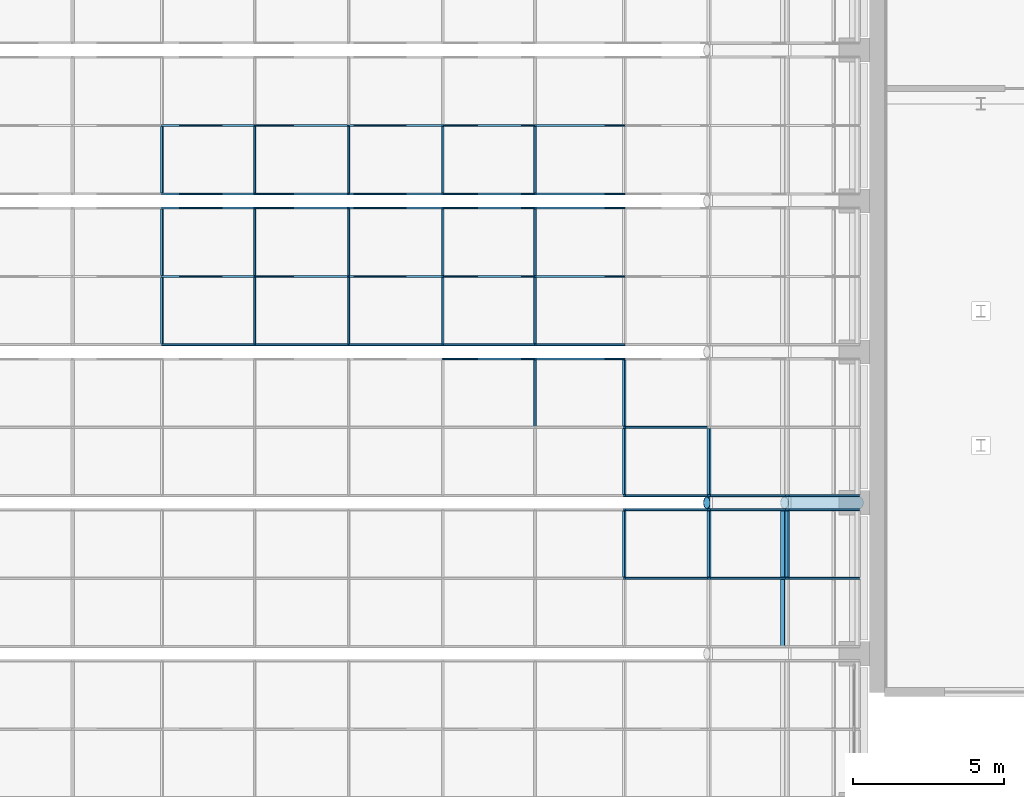
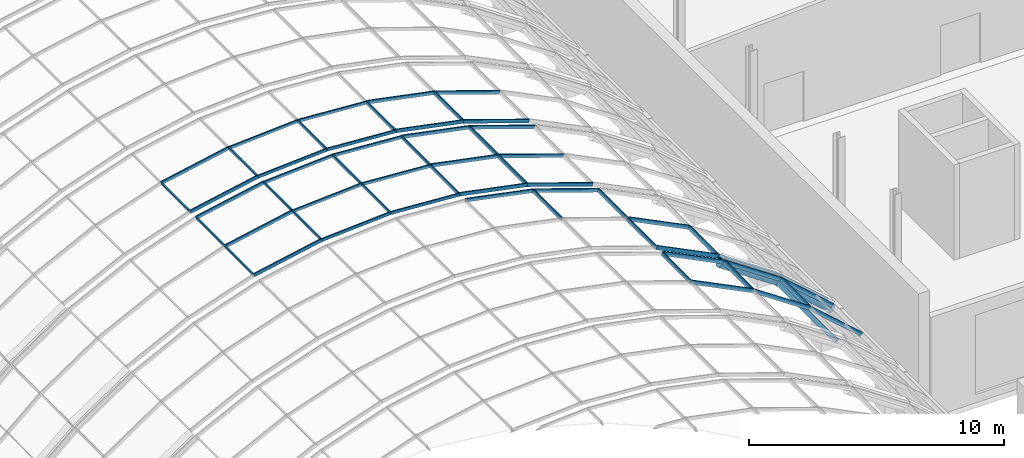
# One storey, part 74 of 182: 62 members, 4 elements without a shape of their own.
"""IFC4 building model written with IfcOpenShell, lengths in metres."""

from ifc_helpers import new_model, si_unit, direction, frame, origin, origin_2d, place, context, subcontext, project, spatial, rectangle, hollow_rectangle, hollow_circle, extrude, material, material_profile, profile_set, type_object, element, aggregate, save


model = new_model("IFC4")

# Units and contexts
model_context = context("Model", 3, precision=1e-05, world=origin(), true_north=direction((0.0, 1.0)))
body_context = subcontext(model_context, "Body", "Model", "MODEL_VIEW")
ifc_project = project(units=[si_unit("LENGTHUNIT", "METRE"), si_unit("AREAUNIT", "SQUARE_METRE"), si_unit("VOLUMEUNIT", "CUBIC_METRE"), si_unit("PLANEANGLEUNIT", "RADIAN"), si_unit("MASSUNIT", "GRAM", prefix="KILO")], contexts=[model_context])

# Site, building, storey
site_placement = place(None, origin())
site = spatial("IfcSite", under=ifc_project, at=site_placement, CompositionType="ELEMENT")
building_placement = place(site_placement, origin())
building = spatial("IfcBuilding", under=site, at=building_placement, Name="Okhra Congress Centre", CompositionType="ELEMENT")
storey_placement = place(building_placement, frame((0.0, 0.0, 7.199951171875)))
storey = spatial("IfcBuildingStorey", under=building, at=storey_placement, Name="L01", CompositionType="ELEMENT", Elevation=7.199951171875)

# Curtain wall, members
ifc_material_1 = material(Name="Aluminium frame with triple glazing", Category="aluminium")
curtain_wall_type = type_object("IfcCurtainWallType", Name="Glazed vault bay curtain wall", PredefinedType="NOTDEFINED", material=ifc_material_1)
curtain_wall_1_placement = place(storey_placement, origin())
curtain_wall_1 = element("IfcCurtainWall", 1, at=curtain_wall_1_placement, inside=storey, type_object=curtain_wall_type, Name="Vault glazing bay 18", PredefinedType="NOTDEFINED")
ifc_material_2 = material(Name="Aluminium alloy 6063", Category="aluminium")
ifc_material_profile_1 = material_profile(ifc_material_2, rectangle(XDim=0.06005859375, YDim=0.139892578125, at=origin_2d()), Name="AL 60x140")
ifc_profile_set_1 = profile_set([ifc_material_profile_1], Name="Aluminium alloy 6063")
member_type_1 = type_object("IfcMemberType", Name="Aluminium mullion 60x140", PredefinedType="MULLION", material=ifc_profile_set_1)
member_1_placement = place(storey_placement, frame((169.1337890625, 161.233154296875, 8.7392578125), z_axis=(0.997826129775, 0.0, 0.065901553385), x_axis=(0.0, 1.0, 0.0)))
member_1 = element("IfcMember", 2, at=member_1_placement, type_object=member_type_1, Name="Vault mullion 18.1.6", PredefinedType="MULLION", context=body_context, shape_type="SweptSolid", body=[
    extrude(rectangle(XDim=0.06005859375, YDim=0.139892578125, at=origin_2d()), origin(), (0.0, 0.0, 1.0), 3.123046875),
])
member_2_placement = place(storey_placement, frame((172.25, 161.233154296875, 8.945068359375), z_axis=(0.997826129775, 0.0, -0.065901553385), x_axis=(0.0, 1.0, 0.0)))
member_2 = element("IfcMember", 3, at=member_2_placement, type_object=member_type_1, Name="Vault mullion 18.1.7", PredefinedType="MULLION", context=body_context, shape_type="SweptSolid", body=[
    extrude(rectangle(XDim=0.06005859375, YDim=0.139892578125, at=origin_2d()), origin(), (0.0, 0.0, 1.0), 3.123046875),
])
member_3_placement = place(storey_placement, frame((169.1337890625, 163.5, 8.7392578125), z_axis=(0.997826129775, 0.0, 0.065901553385), x_axis=(0.0, 1.0, 0.0)))
member_3 = element("IfcMember", 4, at=member_3_placement, type_object=member_type_1, Name="Vault mullion 18.2.6", PredefinedType="MULLION", context=body_context, shape_type="SweptSolid", body=[
    extrude(rectangle(XDim=0.06005859375, YDim=0.139892578125, at=origin_2d()), origin(), (0.0, 0.0, 1.0), 3.123046875),
])
member_4_placement = place(storey_placement, frame((172.25, 163.5, 8.945068359375), z_axis=(0.997826129775, 0.0, -0.065901553385), x_axis=(0.0, 1.0, 0.0)))
member_4 = element("IfcMember", 5, at=member_4_placement, type_object=member_type_1, Name="Vault mullion 18.2.7", PredefinedType="MULLION", context=body_context, shape_type="SweptSolid", body=[
    extrude(rectangle(XDim=0.06005859375, YDim=0.139892578125, at=origin_2d()), origin(), (0.0, 0.0, 1.0), 3.123046875),
])
member_5_placement = place(storey_placement, frame((169.1337890625, 165.766845703125, 8.7392578125), z_axis=(0.997826129775, 0.0, 0.065901553385), x_axis=(0.0, 1.0, 0.0)))
member_5 = element("IfcMember", 6, at=member_5_placement, type_object=member_type_1, Name="Vault mullion 18.3.6", PredefinedType="MULLION", context=body_context, shape_type="SweptSolid", body=[
    extrude(rectangle(XDim=0.06005859375, YDim=0.139892578125, at=origin_2d()), origin(), (0.0, 0.0, 1.0), 3.123046875),
])
member_6_placement = place(storey_placement, frame((172.25, 165.766845703125, 8.945068359375), z_axis=(0.997826129775, 0.0, -0.065901553385), x_axis=(0.0, 1.0, 0.0)))
member_6 = element("IfcMember", 7, at=member_6_placement, type_object=member_type_1, Name="Vault mullion 18.3.7", PredefinedType="MULLION", context=body_context, shape_type="SweptSolid", body=[
    extrude(rectangle(XDim=0.06005859375, YDim=0.139892578125, at=origin_2d()), origin(), (0.0, 0.0, 1.0), 3.123046875),
])

curtain_wall_2_placement = place(storey_placement, origin())
curtain_wall_2 = element("IfcCurtainWall", 8, at=curtain_wall_2_placement, inside=storey, type_object=curtain_wall_type, Name="Vault glazing bay 19", PredefinedType="NOTDEFINED")
member_7_placement = place(storey_placement, frame((169.1337890625, 166.233154296875, 8.7392578125), z_axis=(0.997826129775, 0.0, 0.065901553385), x_axis=(0.0, 1.0, 0.0)))
member_7 = element("IfcMember", 9, at=member_7_placement, type_object=member_type_1, Name="Vault mullion 19.1.6", PredefinedType="MULLION", context=body_context, shape_type="SweptSolid", body=[
    extrude(rectangle(XDim=0.06005859375, YDim=0.139892578125, at=origin_2d()), origin(), (0.0, 0.0, 1.0), 3.123046875),
])
member_8_placement = place(storey_placement, frame((172.25, 166.233154296875, 8.945068359375), z_axis=(0.997826129775, 0.0, -0.065901553385), x_axis=(0.0, 1.0, 0.0)))
member_8 = element("IfcMember", 10, at=member_8_placement, type_object=member_type_1, Name="Vault mullion 19.1.7", PredefinedType="MULLION", context=body_context, shape_type="SweptSolid", body=[
    extrude(rectangle(XDim=0.06005859375, YDim=0.139892578125, at=origin_2d()), origin(), (0.0, 0.0, 1.0), 3.123046875),
])
member_9_placement = place(storey_placement, frame((169.1337890625, 168.5, 8.7392578125), z_axis=(0.997826129775, 0.0, 0.065901553385), x_axis=(0.0, 1.0, 0.0)))
member_9 = element("IfcMember", 11, at=member_9_placement, type_object=member_type_1, Name="Vault mullion 19.2.6", PredefinedType="MULLION", context=body_context, shape_type="SweptSolid", body=[
    extrude(rectangle(XDim=0.06005859375, YDim=0.139892578125, at=origin_2d()), origin(), (0.0, 0.0, 1.0), 3.123046875),
])
member_10_placement = place(storey_placement, frame((172.25, 168.5, 8.945068359375), z_axis=(0.997826129775, 0.0, -0.065901553385), x_axis=(0.0, 1.0, 0.0)))
member_10 = element("IfcMember", 12, at=member_10_placement, type_object=member_type_1, Name="Vault mullion 19.2.7", PredefinedType="MULLION", context=body_context, shape_type="SweptSolid", body=[
    extrude(rectangle(XDim=0.06005859375, YDim=0.139892578125, at=origin_2d()), origin(), (0.0, 0.0, 1.0), 3.123046875),
])

curtain_wall_3_placement = place(storey_placement, origin())
curtain_wall_3 = element("IfcCurtainWall", 13, at=curtain_wall_3_placement, inside=storey, type_object=curtain_wall_type, Name="Vault glazing bay 17", PredefinedType="NOTDEFINED")
ifc_material_profile_2 = material_profile(ifc_material_2, rectangle(XDim=0.06005859375, YDim=0.159912109375, at=origin_2d()), Name="AL 60x160")
ifc_profile_set_2 = profile_set([ifc_material_profile_2], Name="Aluminium alloy 6063")
member_type_2 = type_object("IfcMemberType", Name="Aluminium mullion 60x160", PredefinedType="MULLION", material=ifc_profile_set_2)
member_11_placement = place(storey_placement, frame((175.367431640625, 160.766845703125, 8.7490234375), z_axis=(0.980484387086, 0.0, -0.196596965087), x_axis=(0.0, 1.0, 0.0)))
member_11 = element("IfcMember", 14, at=member_11_placement, type_object=member_type_2, Name="Vault mullion 17.3.8", PredefinedType="MULLION", context=body_context, shape_type="SweptSolid", body=[
    extrude(rectangle(XDim=0.06005859375, YDim=0.159912109375, at=origin_2d()), origin(), (0.0, 0.0, 1.0), 3.12451171875),
])
member_12_placement = place(storey_placement, frame((178.430908203125, 160.766845703125, 8.134765625), z_axis=(0.946065064306, 0.0, -0.323976687587), x_axis=(0.0, 1.0, 0.0)))
member_12 = element("IfcMember", 15, at=member_12_placement, type_object=member_type_2, Name="Vault mullion 17.3.9", PredefinedType="MULLION", context=body_context, shape_type="SweptSolid", body=[
    extrude(rectangle(XDim=0.06005859375, YDim=0.159912109375, at=origin_2d()), origin(), (0.0, 0.0, 1.0), 3.124267578125),
])

# Member
member_13_placement = place(storey_placement, frame((166.069091796875, 161.233154296875, 8.134765625), z_axis=(0.980484387086, 0.0, 0.196596965087), x_axis=(0.0, 1.0, 0.0)))
member_13 = element("IfcMember", 16, at=member_13_placement, type_object=member_type_2, Name="Vault mullion 18.1.5", PredefinedType="MULLION", context=body_context, shape_type="SweptSolid", body=[
    extrude(rectangle(XDim=0.06005859375, YDim=0.159912109375, at=origin_2d()), origin(), (0.0, 0.0, 1.0), 3.12451171875),
])

member_14_placement = place(storey_placement, frame((175.367431640625, 161.233154296875, 8.7490234375), z_axis=(0.980484387086, 0.0, -0.196596965087), x_axis=(0.0, 1.0, 0.0)))
member_14 = element("IfcMember", 17, at=member_14_placement, type_object=member_type_2, Name="Vault mullion 18.1.8", PredefinedType="MULLION", context=body_context, shape_type="SweptSolid", body=[
    extrude(rectangle(XDim=0.06005859375, YDim=0.159912109375, at=origin_2d()), origin(), (0.0, 0.0, 1.0), 3.12451171875),
])

member_15_placement = place(storey_placement, frame((178.430908203125, 161.233154296875, 8.134765625), z_axis=(0.946065064306, 0.0, -0.323976687587), x_axis=(0.0, 1.0, 0.0)))
member_15 = element("IfcMember", 18, at=member_15_placement, type_object=member_type_2, Name="Vault mullion 18.1.9", PredefinedType="MULLION", context=body_context, shape_type="SweptSolid", body=[
    extrude(rectangle(XDim=0.06005859375, YDim=0.159912109375, at=origin_2d()), origin(), (0.0, 0.0, 1.0), 3.124267578125),
])

member_16_placement = place(storey_placement, frame((166.069091796875, 163.5, 8.134765625), z_axis=(0.980484387086, 0.0, 0.196596965087), x_axis=(0.0, 1.0, 0.0)))
member_16 = element("IfcMember", 19, at=member_16_placement, type_object=member_type_2, Name="Vault mullion 18.2.5", PredefinedType="MULLION", context=body_context, shape_type="SweptSolid", body=[
    extrude(rectangle(XDim=0.06005859375, YDim=0.159912109375, at=origin_2d()), origin(), (0.0, 0.0, 1.0), 3.12451171875),
])

member_17_placement = place(storey_placement, frame((175.367431640625, 163.5, 8.7490234375), z_axis=(0.980484387086, 0.0, -0.196596965087), x_axis=(0.0, 1.0, 0.0)))
member_17 = element("IfcMember", 20, at=member_17_placement, type_object=member_type_2, Name="Vault mullion 18.2.8", PredefinedType="MULLION", context=body_context, shape_type="SweptSolid", body=[
    extrude(rectangle(XDim=0.06005859375, YDim=0.159912109375, at=origin_2d()), origin(), (0.0, 0.0, 1.0), 3.12451171875),
])

member_18_placement = place(storey_placement, frame((178.430908203125, 163.5, 8.134765625), z_axis=(0.946065064306, 0.0, -0.323976687587), x_axis=(0.0, 1.0, 0.0)))
member_18 = element("IfcMember", 21, at=member_18_placement, type_object=member_type_2, Name="Vault mullion 18.2.9", PredefinedType="MULLION", context=body_context, shape_type="SweptSolid", body=[
    extrude(rectangle(XDim=0.06005859375, YDim=0.159912109375, at=origin_2d()), origin(), (0.0, 0.0, 1.0), 3.124267578125),
])

member_19_placement = place(storey_placement, frame((166.069091796875, 165.766845703125, 8.134765625), z_axis=(0.980484387086, 0.0, 0.196596965087), x_axis=(0.0, 1.0, 0.0)))
member_19 = element("IfcMember", 22, at=member_19_placement, type_object=member_type_2, Name="Vault mullion 18.3.5", PredefinedType="MULLION", context=body_context, shape_type="SweptSolid", body=[
    extrude(rectangle(XDim=0.06005859375, YDim=0.159912109375, at=origin_2d()), origin(), (0.0, 0.0, 1.0), 3.12451171875),
])

member_20_placement = place(storey_placement, frame((175.367431640625, 165.766845703125, 8.7490234375), z_axis=(0.980484387086, 0.0, -0.196596965087), x_axis=(0.0, 1.0, 0.0)))
member_20 = element("IfcMember", 23, at=member_20_placement, type_object=member_type_2, Name="Vault mullion 18.3.8", PredefinedType="MULLION", context=body_context, shape_type="SweptSolid", body=[
    extrude(rectangle(XDim=0.06005859375, YDim=0.159912109375, at=origin_2d()), origin(), (0.0, 0.0, 1.0), 3.12451171875),
])

member_21_placement = place(storey_placement, frame((178.430908203125, 165.766845703125, 8.134765625), z_axis=(0.946065064306, 0.0, -0.323976687587), x_axis=(0.0, 1.0, 0.0)))
member_21 = element("IfcMember", 24, at=member_21_placement, type_object=member_type_2, Name="Vault mullion 18.3.9", PredefinedType="MULLION", context=body_context, shape_type="SweptSolid", body=[
    extrude(rectangle(XDim=0.06005859375, YDim=0.159912109375, at=origin_2d()), origin(), (0.0, 0.0, 1.0), 3.124267578125),
])

member_22_placement = place(storey_placement, frame((166.069091796875, 166.233154296875, 8.134765625), z_axis=(0.980484387086, 0.0, 0.196596965087), x_axis=(0.0, 1.0, 0.0)))
member_22 = element("IfcMember", 25, at=member_22_placement, type_object=member_type_2, Name="Vault mullion 19.1.5", PredefinedType="MULLION", context=body_context, shape_type="SweptSolid", body=[
    extrude(rectangle(XDim=0.06005859375, YDim=0.159912109375, at=origin_2d()), origin(), (0.0, 0.0, 1.0), 3.12451171875),
])

member_23_placement = place(storey_placement, frame((175.367431640625, 166.233154296875, 8.7490234375), z_axis=(0.980484387086, 0.0, -0.196596965087), x_axis=(0.0, 1.0, 0.0)))
member_23 = element("IfcMember", 26, at=member_23_placement, type_object=member_type_2, Name="Vault mullion 19.1.8", PredefinedType="MULLION", context=body_context, shape_type="SweptSolid", body=[
    extrude(rectangle(XDim=0.06005859375, YDim=0.159912109375, at=origin_2d()), origin(), (0.0, 0.0, 1.0), 3.12451171875),
])

member_24_placement = place(storey_placement, frame((178.430908203125, 166.233154296875, 8.134765625), z_axis=(0.946065064306, 0.0, -0.323976687587), x_axis=(0.0, 1.0, 0.0)))
member_24 = element("IfcMember", 27, at=member_24_placement, type_object=member_type_2, Name="Vault mullion 19.1.9", PredefinedType="MULLION", context=body_context, shape_type="SweptSolid", body=[
    extrude(rectangle(XDim=0.06005859375, YDim=0.159912109375, at=origin_2d()), origin(), (0.0, 0.0, 1.0), 3.124267578125),
])

member_25_placement = place(storey_placement, frame((166.069091796875, 168.5, 8.134765625), z_axis=(0.980484387086, 0.0, 0.196596965087), x_axis=(0.0, 1.0, 0.0)))
member_25 = element("IfcMember", 28, at=member_25_placement, type_object=member_type_2, Name="Vault mullion 19.2.5", PredefinedType="MULLION", context=body_context, shape_type="SweptSolid", body=[
    extrude(rectangle(XDim=0.06005859375, YDim=0.159912109375, at=origin_2d()), origin(), (0.0, 0.0, 1.0), 3.12451171875),
])

member_26_placement = place(storey_placement, frame((175.367431640625, 168.5, 8.7490234375), z_axis=(0.980484387086, 0.0, -0.196596965087), x_axis=(0.0, 1.0, 0.0)))
member_26 = element("IfcMember", 29, at=member_26_placement, type_object=member_type_2, Name="Vault mullion 19.2.8", PredefinedType="MULLION", context=body_context, shape_type="SweptSolid", body=[
    extrude(rectangle(XDim=0.06005859375, YDim=0.159912109375, at=origin_2d()), origin(), (0.0, 0.0, 1.0), 3.12451171875),
])

member_27_placement = place(storey_placement, frame((178.430908203125, 168.5, 8.134765625), z_axis=(0.946065064306, 0.0, -0.323976687587), x_axis=(0.0, 1.0, 0.0)))
member_27 = element("IfcMember", 30, at=member_27_placement, type_object=member_type_2, Name="Vault mullion 19.2.9", PredefinedType="MULLION", context=body_context, shape_type="SweptSolid", body=[
    extrude(rectangle(XDim=0.06005859375, YDim=0.159912109375, at=origin_2d()), origin(), (0.0, 0.0, 1.0), 3.124267578125),
])

# Curtain wall, members
curtain_wall_4_placement = place(storey_placement, origin())
curtain_wall_4 = element("IfcCurtainWall", 31, at=curtain_wall_4_placement, inside=storey, type_object=curtain_wall_type, Name="Vault glazing bay 16", PredefinedType="NOTDEFINED")
ifc_material_profile_3 = material_profile(ifc_material_2, rectangle(XDim=0.06005859375, YDim=0.179931640625, at=origin_2d()), Name="AL 60x180")
ifc_profile_set_3 = profile_set([ifc_material_profile_3], Name="Aluminium alloy 6063")
member_type_3 = type_object("IfcMemberType", Name="Aluminium mullion 60x180", PredefinedType="MULLION", material=ifc_profile_set_3)
member_28_placement = place(storey_placement, frame((181.390625, 153.5, 7.1318359375), z_axis=(0.895253656313, 0.0, -0.445556832354), x_axis=(0.0, 1.0, 0.0)))
member_28 = element("IfcMember", 32, at=member_28_placement, type_object=member_type_3, Name="Vault mullion 16.2.10", PredefinedType="MULLION", context=body_context, shape_type="SweptSolid", body=[
    extrude(rectangle(XDim=0.06005859375, YDim=0.179931640625, at=origin_2d()), origin(), (0.0, 0.0, 1.0), 3.12548828125),
])
member_29_placement = place(storey_placement, frame((184.188720703125, 153.5, 5.7392578125), z_axis=(0.828827846338, 0.0, -0.559503709671), x_axis=(0.0, 1.0, 0.0)))
member_29 = element("IfcMember", 33, at=member_29_placement, type_object=member_type_3, Name="Vault mullion 16.2.11", PredefinedType="MULLION", context=body_context, shape_type="SweptSolid", body=[
    extrude(rectangle(XDim=0.06005859375, YDim=0.179931640625, at=origin_2d()), origin(), (0.0, 0.0, 1.0), 3.12548828125),
])
member_30_placement = place(storey_placement, frame((186.779296875, 153.5, 3.990478515625), z_axis=(0.748025229923, 0.0, -0.663670291183), x_axis=(0.0, 1.0, 0.0)))
member_30 = element("IfcMember", 34, at=member_30_placement, type_object=member_type_3, Name="Vault mullion 16.2.12", PredefinedType="MULLION", context=body_context, shape_type="SweptSolid", body=[
    extrude(rectangle(XDim=0.06005859375, YDim=0.179931640625, at=origin_2d()), origin(), (0.0, 0.0, 1.0), 3.125732421875),
])
member_31_placement = place(storey_placement, frame((181.390625, 155.766845703125, 7.1318359375), z_axis=(0.895253656313, 0.0, -0.445556832354), x_axis=(0.0, 1.0, 0.0)))
member_31 = element("IfcMember", 35, at=member_31_placement, type_object=member_type_3, Name="Vault mullion 16.3.10", PredefinedType="MULLION", context=body_context, shape_type="SweptSolid", body=[
    extrude(rectangle(XDim=0.06005859375, YDim=0.179931640625, at=origin_2d()), origin(), (0.0, 0.0, 1.0), 3.12548828125),
])
member_32_placement = place(storey_placement, frame((184.188720703125, 155.766845703125, 5.7392578125), z_axis=(0.828827846338, 0.0, -0.559503709671), x_axis=(0.0, 1.0, 0.0)))
member_32 = element("IfcMember", 36, at=member_32_placement, type_object=member_type_3, Name="Vault mullion 16.3.11", PredefinedType="MULLION", context=body_context, shape_type="SweptSolid", body=[
    extrude(rectangle(XDim=0.06005859375, YDim=0.179931640625, at=origin_2d()), origin(), (0.0, 0.0, 1.0), 3.12548828125),
])
member_33_placement = place(storey_placement, frame((186.779296875, 155.766845703125, 3.990478515625), z_axis=(0.748025229923, 0.0, -0.663670291183), x_axis=(0.0, 1.0, 0.0)))
member_33 = element("IfcMember", 37, at=member_33_placement, type_object=member_type_3, Name="Vault mullion 16.3.12", PredefinedType="MULLION", context=body_context, shape_type="SweptSolid", body=[
    extrude(rectangle(XDim=0.06005859375, YDim=0.179931640625, at=origin_2d()), origin(), (0.0, 0.0, 1.0), 3.125732421875),
])

# Member
member_34_placement = place(storey_placement, frame((181.390625, 156.233154296875, 7.1318359375), z_axis=(0.895253656313, 0.0, -0.445556832354), x_axis=(0.0, 1.0, 0.0)))
member_34 = element("IfcMember", 38, at=member_34_placement, type_object=member_type_3, Name="Vault mullion 17.1.10", PredefinedType="MULLION", context=body_context, shape_type="SweptSolid", body=[
    extrude(rectangle(XDim=0.06005859375, YDim=0.179931640625, at=origin_2d()), origin(), (0.0, 0.0, 1.0), 3.12548828125),
])

member_35_placement = place(storey_placement, frame((184.188720703125, 156.233154296875, 5.7392578125), z_axis=(0.828827846338, 0.0, -0.559503709671), x_axis=(0.0, 1.0, 0.0)))
member_35 = element("IfcMember", 39, at=member_35_placement, type_object=member_type_3, Name="Vault mullion 17.1.11", PredefinedType="MULLION", context=body_context, shape_type="SweptSolid", body=[
    extrude(rectangle(XDim=0.06005859375, YDim=0.179931640625, at=origin_2d()), origin(), (0.0, 0.0, 1.0), 3.12548828125),
])

member_36_placement = place(storey_placement, frame((186.779296875, 156.233154296875, 3.990478515625), z_axis=(0.748025229923, 0.0, -0.663670291183), x_axis=(0.0, 1.0, 0.0)))
member_36 = element("IfcMember", 40, at=member_36_placement, type_object=member_type_3, Name="Vault mullion 17.1.12", PredefinedType="MULLION", context=body_context, shape_type="SweptSolid", body=[
    extrude(rectangle(XDim=0.06005859375, YDim=0.179931640625, at=origin_2d()), origin(), (0.0, 0.0, 1.0), 3.125732421875),
])

member_37_placement = place(storey_placement, frame((181.390625, 158.5, 7.1318359375), z_axis=(0.895253656313, 0.0, -0.445556832354), x_axis=(0.0, 1.0, 0.0)))
member_37 = element("IfcMember", 41, at=member_37_placement, type_object=member_type_3, Name="Vault mullion 17.2.10", PredefinedType="MULLION", context=body_context, shape_type="SweptSolid", body=[
    extrude(rectangle(XDim=0.06005859375, YDim=0.179931640625, at=origin_2d()), origin(), (0.0, 0.0, 1.0), 3.12548828125),
])

ifc_material_profile_4 = material_profile(ifc_material_2, rectangle(XDim=0.06005859375, YDim=0.139892578125, at=origin_2d()), Name="AL 60x140 transom")
ifc_profile_set_4 = profile_set([ifc_material_profile_4], Name="Aluminium alloy 6063")
member_type_4 = type_object("IfcMemberType", Name="Aluminium transom 60x140", PredefinedType="USERDEFINED", material=ifc_profile_set_4)
member_38_placement = place(storey_placement, frame((169.1337890625, 161.26318359375, 8.7392578125), z_axis=(0.0, 1.0, 0.0), x_axis=(-0.991307202734, 0.0, -0.131567586459)))
member_38 = element("IfcMember", 42, at=member_38_placement, type_object=member_type_4, Name="Vault transom 18.1.6", ObjectType="TRANSOM", PredefinedType="USERDEFINED", context=body_context, shape_type="SweptSolid", body=[
    extrude(rectangle(XDim=0.06005859375, YDim=0.139892578125, at=origin_2d()), origin(), (0.0, 0.0, 1.0), 2.206787109375),
])

member_39_placement = place(storey_placement, frame((172.25, 161.26318359375, 8.945068359375), z_axis=(0.0, 1.0, 0.0), x_axis=(-1.0, 0.0, 0.0)))
member_39 = element("IfcMember", 43, at=member_39_placement, type_object=member_type_4, Name="Vault transom 18.1.7", ObjectType="TRANSOM", PredefinedType="USERDEFINED", context=body_context, shape_type="SweptSolid", body=[
    extrude(rectangle(XDim=0.06005859375, YDim=0.139892578125, at=origin_2d()), origin(), (0.0, 0.0, 1.0), 2.206787109375),
])

member_40_placement = place(storey_placement, frame((175.3662109375, 161.26318359375, 8.7392578125), z_axis=(0.0, 1.0, 0.0), x_axis=(-0.991307202734, 0.0, 0.131567586459)))
member_40 = element("IfcMember", 44, at=member_40_placement, type_object=member_type_4, Name="Vault transom 18.1.8", ObjectType="TRANSOM", PredefinedType="USERDEFINED", context=body_context, shape_type="SweptSolid", body=[
    extrude(rectangle(XDim=0.06005859375, YDim=0.139892578125, at=origin_2d()), origin(), (0.0, 0.0, 1.0), 2.206787109375),
])

member_41_placement = place(storey_placement, frame((169.1337890625, 163.530029296875, 8.7392578125), z_axis=(0.0, 1.0, 0.0), x_axis=(-0.991307202734, 0.0, -0.131567586459)))
member_41 = element("IfcMember", 45, at=member_41_placement, type_object=member_type_4, Name="Vault transom 18.2.6", ObjectType="TRANSOM", PredefinedType="USERDEFINED", context=body_context, shape_type="SweptSolid", body=[
    extrude(rectangle(XDim=0.06005859375, YDim=0.139892578125, at=origin_2d()), origin(), (0.0, 0.0, 1.0), 2.206787109375),
])

member_42_placement = place(storey_placement, frame((172.25, 163.530029296875, 8.945068359375), z_axis=(0.0, 1.0, 0.0), x_axis=(-1.0, 0.0, 0.0)))
member_42 = element("IfcMember", 46, at=member_42_placement, type_object=member_type_4, Name="Vault transom 18.2.7", ObjectType="TRANSOM", PredefinedType="USERDEFINED", context=body_context, shape_type="SweptSolid", body=[
    extrude(rectangle(XDim=0.06005859375, YDim=0.139892578125, at=origin_2d()), origin(), (0.0, 0.0, 1.0), 2.206787109375),
])

member_43_placement = place(storey_placement, frame((175.3662109375, 163.530029296875, 8.7392578125), z_axis=(0.0, 1.0, 0.0), x_axis=(-0.991307202734, 0.0, 0.131567586459)))
member_43 = element("IfcMember", 47, at=member_43_placement, type_object=member_type_4, Name="Vault transom 18.2.8", ObjectType="TRANSOM", PredefinedType="USERDEFINED", context=body_context, shape_type="SweptSolid", body=[
    extrude(rectangle(XDim=0.06005859375, YDim=0.139892578125, at=origin_2d()), origin(), (0.0, 0.0, 1.0), 2.206787109375),
])

member_44_placement = place(storey_placement, frame((169.1337890625, 166.26318359375, 8.7392578125), z_axis=(0.0, 1.0, 0.0), x_axis=(-0.991307202734, 0.0, -0.131567586459)))
member_44 = element("IfcMember", 48, at=member_44_placement, type_object=member_type_4, Name="Vault transom 19.1.6", ObjectType="TRANSOM", PredefinedType="USERDEFINED", context=body_context, shape_type="SweptSolid", body=[
    extrude(rectangle(XDim=0.06005859375, YDim=0.139892578125, at=origin_2d()), origin(), (0.0, 0.0, 1.0), 2.206787109375),
])

member_45_placement = place(storey_placement, frame((172.25, 166.26318359375, 8.945068359375), z_axis=(0.0, 1.0, 0.0), x_axis=(-1.0, 0.0, 0.0)))
member_45 = element("IfcMember", 49, at=member_45_placement, type_object=member_type_4, Name="Vault transom 19.1.7", ObjectType="TRANSOM", PredefinedType="USERDEFINED", context=body_context, shape_type="SweptSolid", body=[
    extrude(rectangle(XDim=0.06005859375, YDim=0.139892578125, at=origin_2d()), origin(), (0.0, 0.0, 1.0), 2.206787109375),
])

member_46_placement = place(storey_placement, frame((175.3662109375, 166.26318359375, 8.7392578125), z_axis=(0.0, 1.0, 0.0), x_axis=(-0.991307202734, 0.0, 0.131567586459)))
member_46 = element("IfcMember", 50, at=member_46_placement, type_object=member_type_4, Name="Vault transom 19.1.8", ObjectType="TRANSOM", PredefinedType="USERDEFINED", context=body_context, shape_type="SweptSolid", body=[
    extrude(rectangle(XDim=0.06005859375, YDim=0.139892578125, at=origin_2d()), origin(), (0.0, 0.0, 1.0), 2.206787109375),
])

ifc_material_profile_5 = material_profile(ifc_material_2, rectangle(XDim=0.06005859375, YDim=0.159912109375, at=origin_2d()), Name="AL 60x160 transom")
ifc_profile_set_5 = profile_set([ifc_material_profile_5], Name="Aluminium alloy 6063")
member_type_5 = type_object("IfcMemberType", Name="Aluminium transom 60x160", PredefinedType="USERDEFINED", material=ifc_profile_set_5)
member_47_placement = place(storey_placement, frame((181.38671875, 153.530029296875, 7.12255859375), z_axis=(0.0, 1.0, 0.0), x_axis=(-0.922668973833, 0.0, 0.38559300399)))
member_47 = element("IfcMember", 51, at=member_47_placement, type_object=member_type_5, Name="Vault transom 16.2.10", ObjectType="TRANSOM", PredefinedType="USERDEFINED", context=body_context, shape_type="SweptSolid", body=[
    extrude(rectangle(XDim=0.06005859375, YDim=0.159912109375, at=origin_2d()), origin(), (0.0, 0.0, 1.0), 2.206787109375),
])

member_48_placement = place(storey_placement, frame((181.38671875, 156.26318359375, 7.12255859375), z_axis=(0.0, 1.0, 0.0), x_axis=(-0.922668973833, 0.0, 0.38559300399)))
member_48 = element("IfcMember", 52, at=member_48_placement, type_object=member_type_5, Name="Vault transom 17.1.10", ObjectType="TRANSOM", PredefinedType="USERDEFINED", context=body_context, shape_type="SweptSolid", body=[
    extrude(rectangle(XDim=0.06005859375, YDim=0.159912109375, at=origin_2d()), origin(), (0.0, 0.0, 1.0), 2.206787109375),
])

member_49_placement = place(storey_placement, frame((178.430908203125, 158.530029296875, 8.134765625), z_axis=(0.0, 1.0, 0.0), x_axis=(-0.965379940391, 0.0, 0.260847792191)))
member_49 = element("IfcMember", 53, at=member_49_placement, type_object=member_type_5, Name="Vault transom 17.2.9", ObjectType="TRANSOM", PredefinedType="USERDEFINED", context=body_context, shape_type="SweptSolid", body=[
    extrude(rectangle(XDim=0.06005859375, YDim=0.159912109375, at=origin_2d()), origin(), (0.0, 0.0, 1.0), 2.206787109375),
])

member_50_placement = place(storey_placement, frame((181.38671875, 158.530029296875, 7.12255859375), z_axis=(0.0, 1.0, 0.0), x_axis=(-0.922668973833, 0.0, 0.38559300399)))
member_50 = element("IfcMember", 54, at=member_50_placement, type_object=member_type_5, Name="Vault transom 17.2.10", ObjectType="TRANSOM", PredefinedType="USERDEFINED", context=body_context, shape_type="SweptSolid", body=[
    extrude(rectangle(XDim=0.06005859375, YDim=0.159912109375, at=origin_2d()), origin(), (0.0, 0.0, 1.0), 2.206787109375),
])

member_51_placement = place(storey_placement, frame((166.069091796875, 161.26318359375, 8.134765625), z_axis=(0.0, 1.0, 0.0), x_axis=(-0.965379940391, 0.0, -0.260847792191)))
member_51 = element("IfcMember", 55, at=member_51_placement, type_object=member_type_5, Name="Vault transom 18.1.5", ObjectType="TRANSOM", PredefinedType="USERDEFINED", context=body_context, shape_type="SweptSolid", body=[
    extrude(rectangle(XDim=0.06005859375, YDim=0.159912109375, at=origin_2d()), origin(), (0.0, 0.0, 1.0), 2.206787109375),
])

member_52_placement = place(storey_placement, frame((178.430908203125, 161.26318359375, 8.134765625), z_axis=(0.0, 1.0, 0.0), x_axis=(-0.965379940391, 0.0, 0.260847792191)))
member_52 = element("IfcMember", 56, at=member_52_placement, type_object=member_type_5, Name="Vault transom 18.1.9", ObjectType="TRANSOM", PredefinedType="USERDEFINED", context=body_context, shape_type="SweptSolid", body=[
    extrude(rectangle(XDim=0.06005859375, YDim=0.159912109375, at=origin_2d()), origin(), (0.0, 0.0, 1.0), 2.206787109375),
])

member_53_placement = place(storey_placement, frame((166.069091796875, 163.530029296875, 8.134765625), z_axis=(0.0, 1.0, 0.0), x_axis=(-0.965379940391, 0.0, -0.260847792191)))
member_53 = element("IfcMember", 57, at=member_53_placement, type_object=member_type_5, Name="Vault transom 18.2.5", ObjectType="TRANSOM", PredefinedType="USERDEFINED", context=body_context, shape_type="SweptSolid", body=[
    extrude(rectangle(XDim=0.06005859375, YDim=0.159912109375, at=origin_2d()), origin(), (0.0, 0.0, 1.0), 2.206787109375),
])

member_54_placement = place(storey_placement, frame((178.430908203125, 163.530029296875, 8.134765625), z_axis=(0.0, 1.0, 0.0), x_axis=(-0.965379940391, 0.0, 0.260847792191)))
member_54 = element("IfcMember", 58, at=member_54_placement, type_object=member_type_5, Name="Vault transom 18.2.9", ObjectType="TRANSOM", PredefinedType="USERDEFINED", context=body_context, shape_type="SweptSolid", body=[
    extrude(rectangle(XDim=0.06005859375, YDim=0.159912109375, at=origin_2d()), origin(), (0.0, 0.0, 1.0), 2.206787109375),
])

aggregate(curtain_wall_1, [member_13, member_1, member_2, member_14, member_15, member_16, member_3, member_4, member_17, member_18, member_19, member_5, member_6, member_20, member_21, member_51, member_38, member_39, member_40, member_52, member_53, member_41, member_42, member_43, member_54])

member_55_placement = place(storey_placement, frame((166.069091796875, 166.26318359375, 8.134765625), z_axis=(0.0, 1.0, 0.0), x_axis=(-0.965379940391, 0.0, -0.260847792191)))
member_55 = element("IfcMember", 59, at=member_55_placement, type_object=member_type_5, Name="Vault transom 19.1.5", ObjectType="TRANSOM", PredefinedType="USERDEFINED", context=body_context, shape_type="SweptSolid", body=[
    extrude(rectangle(XDim=0.06005859375, YDim=0.159912109375, at=origin_2d()), origin(), (0.0, 0.0, 1.0), 2.206787109375),
])

member_56_placement = place(storey_placement, frame((178.430908203125, 166.26318359375, 8.134765625), z_axis=(0.0, 1.0, 0.0), x_axis=(-0.965379940391, 0.0, 0.260847792191)))
member_56 = element("IfcMember", 60, at=member_56_placement, type_object=member_type_5, Name="Vault transom 19.1.9", ObjectType="TRANSOM", PredefinedType="USERDEFINED", context=body_context, shape_type="SweptSolid", body=[
    extrude(rectangle(XDim=0.06005859375, YDim=0.159912109375, at=origin_2d()), origin(), (0.0, 0.0, 1.0), 2.206787109375),
])

aggregate(curtain_wall_2, [member_22, member_7, member_8, member_23, member_24, member_25, member_9, member_10, member_26, member_27, member_55, member_44, member_45, member_46, member_56])

ifc_material_profile_6 = material_profile(ifc_material_2, rectangle(XDim=0.06005859375, YDim=0.179931640625, at=origin_2d()), Name="AL 60x180 transom")
ifc_profile_set_6 = profile_set([ifc_material_profile_6], Name="Aluminium alloy 6063")
member_type_6 = type_object("IfcMemberType", Name="Aluminium transom 60x180", PredefinedType="USERDEFINED", material=ifc_profile_set_6)
member_57_placement = place(storey_placement, frame((184.188720703125, 153.530029296875, 5.7392578125), z_axis=(0.0, 1.0, 0.0), x_axis=(-0.86391685861, 0.0, 0.503634452167)))
member_57 = element("IfcMember", 61, at=member_57_placement, type_object=member_type_6, Name="Vault transom 16.2.11", ObjectType="TRANSOM", PredefinedType="USERDEFINED", context=body_context, shape_type="SweptSolid", body=[
    extrude(rectangle(XDim=0.06005859375, YDim=0.179931640625, at=origin_2d()), origin(), (0.0, 0.0, 1.0), 2.206787109375),
])

member_58_placement = place(storey_placement, frame((186.779296875, 153.530029296875, 3.990478515625), z_axis=(0.0, 1.0, 0.0), x_axis=(-0.790145035185, 0.0, 0.612919915954)))
member_58 = element("IfcMember", 62, at=member_58_placement, type_object=member_type_6, Name="Vault transom 16.2.12", ObjectType="TRANSOM", PredefinedType="USERDEFINED", context=body_context, shape_type="SweptSolid", body=[
    extrude(rectangle(XDim=0.06005859375, YDim=0.179931640625, at=origin_2d()), origin(), (0.0, 0.0, 1.0), 2.206787109375),
])

aggregate(curtain_wall_4, [member_28, member_29, member_30, member_31, member_32, member_33, member_47, member_57, member_58])

member_59_placement = place(storey_placement, frame((184.188720703125, 156.26318359375, 5.7392578125), z_axis=(0.0, 1.0, 0.0), x_axis=(-0.86391685861, 0.0, 0.503634452167)))
member_59 = element("IfcMember", 63, at=member_59_placement, type_object=member_type_6, Name="Vault transom 17.1.11", ObjectType="TRANSOM", PredefinedType="USERDEFINED", context=body_context, shape_type="SweptSolid", body=[
    extrude(rectangle(XDim=0.06005859375, YDim=0.179931640625, at=origin_2d()), origin(), (0.0, 0.0, 1.0), 2.206787109375),
])

aggregate(curtain_wall_3, [member_34, member_35, member_36, member_37, member_11, member_12, member_48, member_59, member_49, member_50])

# Members
ifc_material_3 = material(Name="Steel S355J2", Category="steel")
ifc_material_profile_7 = material_profile(ifc_material_3, hollow_rectangle(XDim=0.10009765625, YDim=0.199951171875, WallThickness=0.008056640625, at=origin_2d()), Name="RHS 200x100x8")
ifc_profile_set_7 = profile_set([ifc_material_profile_7], Name="Steel S355J2")
member_type_7 = type_object("IfcMemberType", Name="Steel purlin RHS 200x100x8", PredefinedType="PURLIN", material=ifc_profile_set_7)
member_60_placement = place(storey_placement, frame((186.662841796875, 151.203125, 3.84033203125), z_axis=(0.0, 1.0, 0.0), x_axis=(-0.790145035185, 0.0, 0.612919915954)))
element("IfcMember", 64, at=member_60_placement, inside=storey, type_object=member_type_7, Name="Vault purlin 16.11", PredefinedType="PURLIN", context=body_context, shape_type="SweptSolid", body=[
    extrude(hollow_rectangle(XDim=0.10009765625, YDim=0.199951171875, WallThickness=0.008056640625, at=origin_2d()), origin(), (0.0, 0.0, 1.0), 4.59375),
])
ifc_material_profile_8 = material_profile(ifc_material_3, hollow_circle(Radius=0.203125, WallThickness=0.01611328125, at=origin_2d()), Name="CHS 406.4x16")
ifc_profile_set_8 = profile_set([ifc_material_profile_8], Name="Steel S355J2")
member_type_8 = type_object("IfcMemberType", Name="Tubular steel arch rib CHS 406x16", PredefinedType="USERDEFINED", material=ifc_profile_set_8)
member_61_placement = place(storey_placement, frame((184.116943359375, 156.0, 5.589111328125), z_axis=(0.82882567543, 0.0, -0.559506925558), x_axis=(0.0, 1.0, 0.0)))
element("IfcMember", 65, at=member_61_placement, inside=storey, type_object=member_type_8, Name="Arch rib 17.11", ObjectType="Arch rib", PredefinedType="USERDEFINED", context=body_context, shape_type="SweptSolid", body=[
    extrude(hollow_circle(Radius=0.203125, WallThickness=0.01611328125, at=origin_2d()), origin(), (0.0, 0.0, 1.0), 3.07666015625),
])
member_62_placement = place(storey_placement, frame((186.6884765625, 156.0, 3.85107421875), z_axis=(0.74799336374, 0.0, -0.663706205938), x_axis=(0.0, 1.0, 0.0)))
element("IfcMember", 66, at=member_62_placement, inside=storey, type_object=member_type_8, Name="Arch rib 17.12", ObjectType="Arch rib", PredefinedType="USERDEFINED", context=body_context, shape_type="SweptSolid", body=[
    extrude(hollow_circle(Radius=0.203125, WallThickness=0.01611328125, at=origin_2d()), origin(), (0.0, 0.0, 1.0), 3.3193359375),
])

save(model, "model.ifc")
